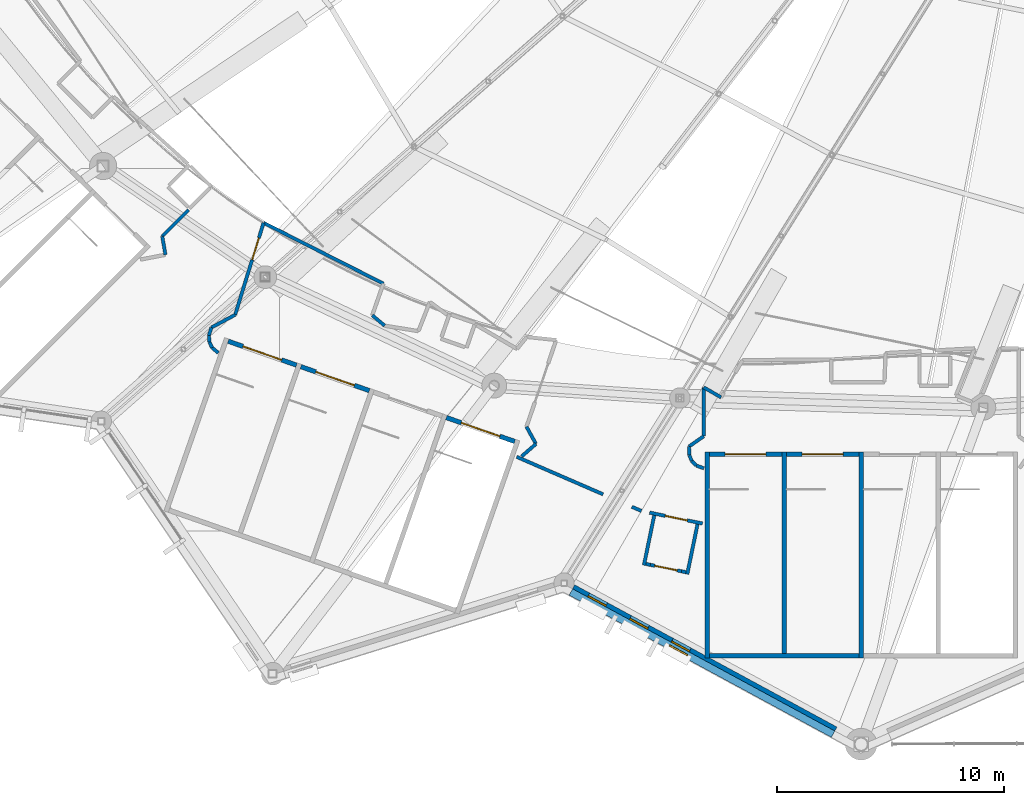
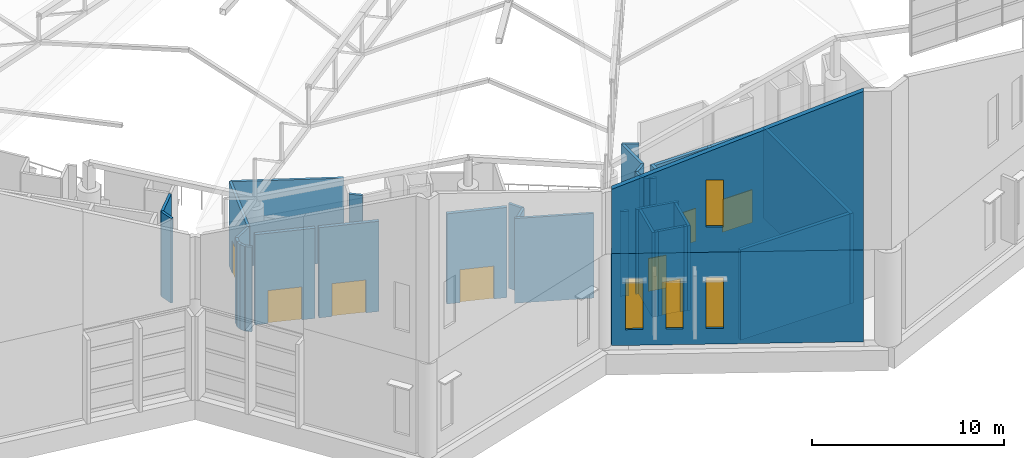
# One storey, part 243 of 344: 38 walls, 8 doors, 4 windows, 12 openings.
"""IFC4 building model written with IfcOpenShell, lengths in metres."""

from ifc_helpers import new_model, si_unit, direction, frame, frame_2d, origin, place, context, subcontext, project, spatial, polyline, rectangle, outline, extrude, material, layer, layer_set, type_object, element, fill, save


model = new_model("IFC4")

# Units and contexts
model_context = context("Model", 3, precision=1e-05, world=origin(), true_north=direction((0.0, 1.0)))
body_context = subcontext(model_context, "Body", "Model", "MODEL_VIEW")
ifc_project = project(units=[si_unit("LENGTHUNIT", "METRE"), si_unit("AREAUNIT", "SQUARE_METRE"), si_unit("VOLUMEUNIT", "CUBIC_METRE"), si_unit("PLANEANGLEUNIT", "RADIAN"), si_unit("MASSUNIT", "GRAM", prefix="KILO")], contexts=[model_context])

# Site, building, storey
site_placement = place(None, origin())
site = spatial("IfcSite", under=ifc_project, at=site_placement, CompositionType="ELEMENT")
building_placement = place(site_placement, origin())
building = spatial("IfcBuilding", under=site, at=building_placement, Name="Meseta Stadium", CompositionType="ELEMENT")
storey_placement = place(building_placement, frame((0.0, 0.0, 24.0)))
storey = spatial("IfcBuildingStorey", under=building, at=storey_placement, Name="L04", CompositionType="ELEMENT", Elevation=24.0)

# Wall
ifc_material_1 = material(Name="Concrete C40/50", Category="concrete")
ifc_layer_1 = layer(ifc_material_1, 0.199951171875)
ifc_layer_set_1 = layer_set([ifc_layer_1], Name="Core divider wall 200")
wall_type_1 = type_object("IfcWallType", Name="Core divider wall 200", PredefinedType="SHEAR", material=ifc_layer_set_1)
wall_1_placement = place(storey_placement, frame((-41.7333984375, -101.60009765625, 0.0), z_axis=(0.0, 0.0, 1.0), x_axis=(0.0, 1.0, 0.0)))
element("IfcWall", 1, at=wall_1_placement, inside=storey, type_object=wall_type_1, Name="Core 23 L04 stair A divider wall", PredefinedType="SHEAR", context=body_context, shape_type="SweptSolid", body=[
    extrude(rectangle(XDim=9.10009765625, YDim=0.199951171875, at=frame_2d((4.550048828125, 0.0))), origin(), (0.0, 0.0, 1.0), 5.75),
])

# Wall, opening, door
ifc_material_2 = material(Name="Concrete C40/50", Category="concrete")
ifc_layer_2 = layer(ifc_material_2, 0.199951171875)
ifc_layer_set_2 = layer_set([ifc_layer_2], Name="Core shaft wall 200")
wall_type_2 = type_object("IfcWallType", Name="Core shaft wall 200", PredefinedType="SHEAR", material=ifc_layer_set_2)
wall_2_placement = place(storey_placement, frame((-66.26171875, -87.618896484375, 0.0), z_axis=(0.0, 0.0, 1.0), x_axis=(0.943878576031, -0.330292648585, 0.0)))
wall_2 = element("IfcWall", 2, at=wall_2_placement, inside=storey, type_object=wall_type_2, Name="Core 22 L04 stair A1 inner end wall", PredefinedType="SHEAR", context=body_context, shape_type="SweptSolid", body=[
    extrude(rectangle(XDim=3.199951171875, YDim=0.199951171875, at=frame_2d((1.60009765625, 0.0))), origin(), (0.0, 0.0, 1.0), 5.75),
])
opening_1_placement = place(wall_2_placement, frame((0.699951171875, 0.0, 0.0)))
opening_1 = element("IfcOpeningElement", 3, at=opening_1_placement, cuts=wall_2, Name="Opening D1555", PredefinedType="OPENING", context=body_context, shape_type="SweptSolid", body=[
    extrude(rectangle(XDim=1.800048828125, YDim=2.10009765625, at=frame_2d((0.89990234375, 1.050048828125))), frame((0.0, 0.10986328125, 0.0), z_axis=(0.0, -1.0, 0.0), x_axis=(1.0, 0.0, 0.0)), (0.0, 0.0, 1.0), 0.219970703125),
])
ifc_material_3 = material(Name="Steel", Category="steel")
door_type_1 = type_object("IfcDoorType", Name="Stair door 1800x2100", OperationType="DOUBLE_DOOR_SINGLE_SWING", PredefinedType="DOOR", material=ifc_material_3)
door_1_placement = place(opening_1_placement, origin())
door_1 = element("IfcDoor", 4, at=door_1_placement, inside=storey, type_object=door_type_1, Name="Stair A1 door 22 L04", OperationType="DOUBLE_DOOR_SINGLE_SWING", OverallHeight=2.10009765625, OverallWidth=1.800048828125, PredefinedType="DOOR", context=body_context, shape_type="SweptSolid", body=[
    extrude(rectangle(XDim=1.800048828125, YDim=2.10009765625, at=frame_2d((0.89990234375, 1.050048828125))), frame((0.0, 0.02490234375, 0.0), z_axis=(0.0, -1.0, 0.0), x_axis=(1.0, 0.0, 0.0)), (0.0, 0.0, 1.0), 0.050048828125),
])
fill(opening_1, door_1)

wall_3_placement = place(storey_placement, frame((-63.052490234375, -88.741943359375, 0.0), z_axis=(0.0, 0.0, 1.0), x_axis=(0.943878576031, -0.330292648585, 0.0)))
wall_3 = element("IfcWall", 5, at=wall_3_placement, inside=storey, type_object=wall_type_2, Name="Core 22 L04 stair A2 inner end wall", PredefinedType="SHEAR", context=body_context, shape_type="SweptSolid", body=[
    extrude(rectangle(XDim=3.199951171875, YDim=0.199951171875, at=frame_2d((1.60009765625, 0.0))), origin(), (0.0, 0.0, 1.0), 5.75),
])
opening_2_placement = place(wall_3_placement, frame((0.699951171875, 0.0, 0.0)))
opening_2 = element("IfcOpeningElement", 6, at=opening_2_placement, cuts=wall_3, Name="Opening D1558", PredefinedType="OPENING", context=body_context, shape_type="SweptSolid", body=[
    extrude(rectangle(XDim=1.800048828125, YDim=2.10009765625, at=frame_2d((0.89990234375, 1.050048828125))), frame((0.0, 0.10986328125, 0.0), z_axis=(0.0, -1.0, 0.0), x_axis=(1.0, 0.0, 0.0)), (0.0, 0.0, 1.0), 0.219970703125),
])
door_2_placement = place(opening_2_placement, origin())
door_2 = element("IfcDoor", 7, at=door_2_placement, inside=storey, type_object=door_type_1, Name="Stair A2 door 22 L04", OperationType="DOUBLE_DOOR_SINGLE_SWING", OverallHeight=2.10009765625, OverallWidth=1.800048828125, PredefinedType="DOOR", context=body_context, shape_type="SweptSolid", body=[
    extrude(rectangle(XDim=1.800048828125, YDim=2.10009765625, at=frame_2d((0.89990234375, 1.050048828125))), frame((0.0, 0.02490234375, 0.0), z_axis=(0.0, -1.0, 0.0), x_axis=(1.0, 0.0, 0.0)), (0.0, 0.0, 1.0), 0.050048828125),
])
fill(opening_2, door_2)

wall_4_placement = place(storey_placement, frame((-56.63427734375, -90.98779296875, 0.0), z_axis=(0.0, 0.0, 1.0), x_axis=(0.943886898693, -0.330268863922, 0.0)))
wall_4 = element("IfcWall", 8, at=wall_4_placement, inside=storey, type_object=wall_type_2, Name="Core 22 L04 stair B2 inner end wall", PredefinedType="SHEAR", context=body_context, shape_type="SweptSolid", body=[
    extrude(rectangle(XDim=3.2001953125, YDim=0.199951171875, at=frame_2d((1.60009765625, 0.0))), origin(), (0.0, 0.0, 1.0), 5.75),
])
opening_3_placement = place(wall_4_placement, frame((0.699951171875, 0.0, 0.0)))
opening_3 = element("IfcOpeningElement", 9, at=opening_3_placement, cuts=wall_4, Name="Opening D1564", PredefinedType="OPENING", context=body_context, shape_type="SweptSolid", body=[
    extrude(rectangle(XDim=1.800048828125, YDim=2.10009765625, at=frame_2d((0.89990234375, 1.050048828125))), frame((0.0, 0.10986328125, 0.0), z_axis=(0.0, -1.0, 0.0), x_axis=(1.0, 0.0, 0.0)), (0.0, 0.0, 1.0), 0.219970703125),
])
door_3_placement = place(opening_3_placement, origin())
door_3 = element("IfcDoor", 10, at=door_3_placement, inside=storey, type_object=door_type_1, Name="Stair B2 door 22 L04", OperationType="DOUBLE_DOOR_SINGLE_SWING", OverallHeight=2.10009765625, OverallWidth=1.800048828125, PredefinedType="DOOR", context=body_context, shape_type="SweptSolid", body=[
    extrude(rectangle(XDim=1.800048828125, YDim=2.10009765625, at=frame_2d((0.89990234375, 1.050048828125))), frame((0.0, 0.02490234375, 0.0), z_axis=(0.0, -1.0, 0.0), x_axis=(1.0, 0.0, 0.0)), (0.0, 0.0, 1.0), 0.050048828125),
])
fill(opening_3, door_3)

# Walls
for number, where, z_axis, x_axis, name in (
    (11, (-45.13330078125, -101.60009765625, 0.0), (0.0, 0.0, 1.0), (0.0, 1.0, 0.0), "Core 23 L04 stair wall A-side"),
    (12, (-38.333251953125, -101.60009765625, 0.0), (0.0, 0.0, 1.0), (0.0, 1.0, 0.0), "Core 23 L04 stair wall shared"),
):
    element("IfcWall", number, at=place(storey_placement, frame(where, z_axis=z_axis, x_axis=x_axis)), inside=storey, type_object=wall_type_2, Name=name, PredefinedType="SHEAR", context=body_context, shape_type="SweptSolid", body=[
        extrude(rectangle(XDim=9.10009765625, YDim=0.199951171875, at=frame_2d((4.550048828125, 0.0))), origin(), (0.0, 0.0, 1.0), 5.75),
    ])
wall_5_placement = place(storey_placement, frame((-45.033203125, -101.5, 0.0), z_axis=(0.0, 0.0, 1.0), x_axis=(1.0, 0.0, 0.0)))
element("IfcWall", 13, at=wall_5_placement, inside=storey, type_object=wall_type_2, Name="Core 23 L04 stair A outer end wall", PredefinedType="SHEAR", context=body_context, shape_type="SweptSolid", body=[
    extrude(rectangle(XDim=6.599853515625, YDim=0.199951171875, at=frame_2d((3.2998046875, 0.0))), origin(), (0.0, 0.0, 1.0), 5.75),
])

# Wall, opening, door
wall_6_placement = place(storey_placement, frame((-45.033203125, -92.60009765625, 0.0), z_axis=(0.0, 0.0, 1.0), x_axis=(1.0, 0.0, 0.0)))
wall_6 = element("IfcWall", 14, at=wall_6_placement, inside=storey, type_object=wall_type_2, Name="Core 23 L04 stair A1 inner end wall", PredefinedType="SHEAR", context=body_context, shape_type="SweptSolid", body=[
    extrude(rectangle(XDim=3.199951171875, YDim=0.199951171875, at=frame_2d((1.60009765625, 0.0))), origin(), (0.0, 0.0, 1.0), 5.75),
])
opening_4_placement = place(wall_6_placement, frame((0.699951171875, 0.0, 0.0)))
opening_4 = element("IfcOpeningElement", 15, at=opening_4_placement, cuts=wall_6, Name="Opening D1572", PredefinedType="OPENING", context=body_context, shape_type="SweptSolid", body=[
    extrude(rectangle(XDim=1.800048828125, YDim=2.10009765625, at=frame_2d((0.89990234375, 1.050048828125))), frame((0.0, 0.10986328125, 0.0), z_axis=(0.0, -1.0, 0.0), x_axis=(1.0, 0.0, 0.0)), (0.0, 0.0, 1.0), 0.219970703125),
])
door_4_placement = place(opening_4_placement, origin())
door_4 = element("IfcDoor", 16, at=door_4_placement, inside=storey, type_object=door_type_1, Name="Stair A1 door 23 L04", OperationType="DOUBLE_DOOR_SINGLE_SWING", OverallHeight=2.10009765625, OverallWidth=1.800048828125, PredefinedType="DOOR", context=body_context, shape_type="SweptSolid", body=[
    extrude(rectangle(XDim=1.800048828125, YDim=2.10009765625, at=frame_2d((0.89990234375, 1.050048828125))), frame((0.0, 0.02490234375, 0.0), z_axis=(0.0, -1.0, 0.0), x_axis=(1.0, 0.0, 0.0)), (0.0, 0.0, 1.0), 0.050048828125),
])
fill(opening_4, door_4)

wall_7_placement = place(storey_placement, frame((-41.63330078125, -92.60009765625, 0.0), z_axis=(0.0, 0.0, 1.0), x_axis=(1.0, 0.0, 0.0)))
wall_7 = element("IfcWall", 17, at=wall_7_placement, inside=storey, type_object=wall_type_2, Name="Core 23 L04 stair A2 inner end wall", PredefinedType="SHEAR", context=body_context, shape_type="SweptSolid", body=[
    extrude(rectangle(XDim=3.199951171875, YDim=0.199951171875, at=frame_2d((1.60009765625, 0.0))), origin(), (0.0, 0.0, 1.0), 5.75),
])
opening_5_placement = place(wall_7_placement, frame((0.699951171875, 0.0, 0.0)))
opening_5 = element("IfcOpeningElement", 18, at=opening_5_placement, cuts=wall_7, Name="Opening D1573", PredefinedType="OPENING", context=body_context, shape_type="SweptSolid", body=[
    extrude(rectangle(XDim=1.800048828125, YDim=2.10009765625, at=frame_2d((0.89990234375, 1.050048828125))), frame((0.0, 0.10986328125, 0.0), z_axis=(0.0, -1.0, 0.0), x_axis=(1.0, 0.0, 0.0)), (0.0, 0.0, 1.0), 0.219970703125),
])
door_5_placement = place(opening_5_placement, origin())
door_5 = element("IfcDoor", 19, at=door_5_placement, inside=storey, type_object=door_type_1, Name="Stair A2 door 23 L04", OperationType="DOUBLE_DOOR_SINGLE_SWING", OverallHeight=2.10009765625, OverallWidth=1.800048828125, PredefinedType="DOOR", context=body_context, shape_type="SweptSolid", body=[
    extrude(rectangle(XDim=1.800048828125, YDim=2.10009765625, at=frame_2d((0.89990234375, 1.050048828125))), frame((0.0, 0.02490234375, 0.0), z_axis=(0.0, -1.0, 0.0), x_axis=(1.0, 0.0, 0.0)), (0.0, 0.0, 1.0), 0.050048828125),
])
fill(opening_5, door_5)

# Walls
ifc_material_4 = material(Name="Masonry blockwork", Category="masonry")
ifc_layer_3 = layer(ifc_material_4, 0.14990234375)
ifc_layer_set_3 = layer_set([ifc_layer_3], Name="Partition 150")
wall_type_3 = type_object("IfcWallType", Name="Partition 150", PredefinedType="PARTITIONING", material=ifc_layer_set_3)
wall_8_placement = place(storey_placement, frame((-53.532470703125, -92.720703125, 0.0), z_axis=(0.0, 0.0, 1.0), x_axis=(0.917474134534, -0.397795440473, 0.0)))
element("IfcWall", 20, at=wall_8_placement, inside=storey, type_object=wall_type_3, Name="Partition L04 L04-cell21-1-0", PredefinedType="PARTITIONING", context=body_context, shape_type="SweptSolid", body=[
    extrude(rectangle(XDim=4.154296875, YDim=0.14990234375, at=frame_2d((2.0771484375, 0.0))), origin(), (0.0, 0.0, 1.0), 5.39990234375),
])
wall_9_placement = place(storey_placement, frame((-48.450439453125, -94.924072265625, 0.0), z_axis=(0.0, 0.0, 1.0), x_axis=(0.917246572377, -0.398319878316, 0.0)))
element("IfcWall", 21, at=wall_9_placement, inside=storey, type_object=wall_type_3, Name="Partition L04 L04-cell21-1-0", PredefinedType="PARTITIONING", context=body_context, shape_type="SweptSolid", body=[
    extrude(rectangle(XDim=0.46142578125, YDim=0.14990234375, at=frame_2d((0.230712890625, 0.0))), origin(), (0.0, 0.0, 1.0), 5.39990234375),
])

# Wall, opening, door
wall_10_placement = place(storey_placement, frame((-47.667724609375, -95.181884765625, 0.0), z_axis=(0.0, 0.0, 1.0), x_axis=(0.97944990219, -0.201687602741, 0.0)))
wall_10 = element("IfcWall", 22, at=wall_10_placement, inside=storey, type_object=wall_type_3, Name="Partition L04 L04-cell21-1-0", PredefinedType="PARTITIONING", context=body_context, shape_type="SweptSolid", body=[
    extrude(rectangle(XDim=2.383544921875, YDim=0.14990234375, at=frame_2d((1.19189453125, 0.0))), origin(), (0.0, 0.0, 1.0), 5.39990234375),
])
opening_6_placement = place(wall_10_placement, frame((0.699951171875, 0.0, 0.0)))
opening_6 = element("IfcOpeningElement", 23, at=opening_6_placement, cuts=wall_10, Name="Opening D1569", PredefinedType="OPENING", context=body_context, shape_type="SweptSolid", body=[
    extrude(rectangle(XDim=1.0, YDim=2.10009765625, at=frame_2d((0.5, 1.050048828125))), frame((0.0, 0.0849609375, 0.0), z_axis=(0.0, -1.0, 0.0), x_axis=(1.0, 0.0, 0.0)), (0.0, 0.0, 1.0), 0.169921875),
])
ifc_material_5 = material(Name="Steel", Category="steel")
door_type_2 = type_object("IfcDoorType", Name="Fire door 1000x2100 EI2 60", OperationType="NOTDEFINED", PredefinedType="DOOR", material=ifc_material_5)
door_6_placement = place(opening_6_placement, origin())
door_6 = element("IfcDoor", 24, at=door_6_placement, inside=storey, type_object=door_type_2, Name="Room door L04 L04-cell21-1-0", OperationType="SINGLE_SWING_RIGHT", OverallHeight=2.10009765625, OverallWidth=1.0, PredefinedType="DOOR", context=body_context, shape_type="SweptSolid", body=[
    extrude(rectangle(XDim=1.0, YDim=2.10009765625, at=frame_2d((0.5, 1.050048828125))), frame((0.0, 0.02490234375, 0.0), z_axis=(0.0, -1.0, 0.0), x_axis=(1.0, 0.0, 0.0)), (0.0, 0.0, 1.0), 0.050048828125),
])
fill(opening_6, door_6)

# Walls
wall_11_placement = place(storey_placement, frame((-69.02587890625, -83.806884765625, 0.0), z_axis=(0.0, 0.0, 1.0), x_axis=(-0.171316329805, 0.985216075357, 0.0)))
element("IfcWall", 25, at=wall_11_placement, inside=storey, type_object=wall_type_3, Name="Stair vestibule wall L04 core 21", PredefinedType="PARTITIONING", context=body_context, shape_type="SweptSolid", body=[
    extrude(rectangle(XDim=0.829345703125, YDim=0.14990234375, at=frame_2d((0.41455078125, 0.0))), origin(), (0.0, 0.0, 1.0), 5.39990234375),
])
wall_12_placement = place(storey_placement, frame((-69.16796875, -82.98974609375, 0.0), z_axis=(0.0, 0.0, 1.0), x_axis=(0.707106781187, 0.707106781187, 0.0)))
element("IfcWall", 26, at=wall_12_placement, inside=storey, type_object=wall_type_3, Name="Stair vestibule wall L04 core 21", PredefinedType="PARTITIONING", context=body_context, shape_type="SweptSolid", body=[
    extrude(rectangle(XDim=1.64306640625, YDim=0.14990234375, at=frame_2d((0.821533203125, 0.0))), origin(), (0.0, 0.0, 1.0), 5.39990234375),
])
wall_13_placement = place(storey_placement, frame((-53.3095703125, -92.699462890625, 0.0), z_axis=(0.0, 0.0, 1.0), x_axis=(0.752902756199, 0.658131779895, 0.0)))
element("IfcWall", 27, at=wall_13_placement, inside=storey, type_object=wall_type_3, Name="Stair vestibule wall L04 core 22", PredefinedType="PARTITIONING", context=body_context, shape_type="SweptSolid", body=[
    extrude(rectangle(XDim=0.834716796875, YDim=0.14990234375, at=frame_2d((0.41748046875, 0.0))), origin(), (0.0, 0.0, 1.0), 5.39990234375),
])
wall_14_placement = place(storey_placement, frame((-52.68115234375, -92.150146484375, 0.0), z_axis=(0.0, 0.0, 1.0), x_axis=(-0.482233213819, 0.876042879938, 0.0)))
element("IfcWall", 28, at=wall_14_placement, inside=storey, type_object=wall_type_3, Name="Stair vestibule wall L04 core 22", PredefinedType="PARTITIONING", context=body_context, shape_type="SweptSolid", body=[
    extrude(rectangle(XDim=0.8642578125, YDim=0.14990234375, at=frame_2d((0.43212890625, 0.0))), origin(), (0.0, 0.0, 1.0), 5.39990234375),
])
wall_15_placement = place(storey_placement, frame((-59.355712890625, -86.935546875, 0.0), z_axis=(0.0, 0.0, 1.0), x_axis=(-0.765017559702, 0.644009420232, 0.0)))
element("IfcWall", 29, at=wall_15_placement, inside=storey, type_object=wall_type_3, Name="Stair vestibule wall L04 core 22", PredefinedType="PARTITIONING", context=body_context, shape_type="SweptSolid", body=[
    extrude(rectangle(XDim=0.714111328125, YDim=0.14990234375, at=frame_2d((0.35693359375, 0.0))), origin(), (0.0, 0.0, 1.0), 5.39990234375),
])
wall_16_placement = place(storey_placement, frame((-59.4130859375, -85.077880859375, 0.0), z_axis=(0.0, 0.0, 1.0), x_axis=(-0.891999670452, 0.45203604714, 0.0)))
element("IfcWall", 30, at=wall_16_placement, inside=storey, type_object=wall_type_3, Name="Stair vestibule wall L04 core 22", PredefinedType="PARTITIONING", context=body_context, shape_type="SweptSolid", body=[
    extrude(rectangle(XDim=5.92529296875, YDim=0.14990234375, at=frame_2d((2.962646484375, 0.0))), origin(), (0.0, 0.0, 1.0), 5.39990234375),
])

# Wall, opening, door
wall_17_placement = place(storey_placement, frame((-64.698486328125, -82.3994140625, 0.0), z_axis=(0.0, 0.0, 1.0), x_axis=(-0.295354963717, -0.955387589101, 0.0)))
wall_17 = element("IfcWall", 31, at=wall_17_placement, inside=storey, type_object=wall_type_3, Name="Stair vestibule wall L04 core 22", PredefinedType="PARTITIONING", context=body_context, shape_type="SweptSolid", body=[
    extrude(rectangle(XDim=4.24365234375, YDim=0.14990234375, at=frame_2d((2.121826171875, 0.0))), origin(), (0.0, 0.0, 1.0), 5.39990234375),
])
opening_7_placement = place(wall_17_placement, frame((0.699951171875, 0.0, 0.0)))
opening_7 = element("IfcOpeningElement", 32, at=opening_7_placement, cuts=wall_17, Name="Opening D1554", PredefinedType="OPENING", context=body_context, shape_type="SweptSolid", body=[
    extrude(rectangle(XDim=1.0, YDim=2.10009765625, at=frame_2d((0.5, 1.050048828125))), frame((0.0, 0.0849609375, 0.0), z_axis=(0.0, -1.0, 0.0), x_axis=(1.0, 0.0, 0.0)), (0.0, 0.0, 1.0), 0.169921875),
])
door_7_placement = place(opening_7_placement, origin())
door_7 = element("IfcDoor", 33, at=door_7_placement, inside=storey, type_object=door_type_2, Name="Stair vestibule door L04 core 22", OperationType="SINGLE_SWING_LEFT", OverallHeight=2.10009765625, OverallWidth=1.0, PredefinedType="DOOR", context=body_context, shape_type="SweptSolid", body=[
    extrude(rectangle(XDim=1.0, YDim=2.10009765625, at=frame_2d((0.5, 1.050048828125))), frame((0.0, 0.02490234375, 0.0), z_axis=(0.0, -1.0, 0.0), x_axis=(1.0, 0.0, 0.0)), (0.0, 0.0, 1.0), 0.050048828125),
])
fill(opening_7, door_7)

# Walls
wall_18_placement = place(storey_placement, frame((-65.951904296875, -86.453857421875, 0.0), z_axis=(0.0, 0.0, 1.0), x_axis=(-0.880497411133, -0.47405095611, 0.0)))
element("IfcWall", 34, at=wall_18_placement, inside=storey, type_object=wall_type_3, Name="Stair vestibule wall L04 core 22", PredefinedType="PARTITIONING", context=body_context, shape_type="SweptSolid", body=[
    extrude(rectangle(XDim=1.191650390625, YDim=0.14990234375, at=frame_2d((0.595703125, 0.0))), origin(), (0.0, 0.0, 1.0), 5.39990234375),
])
wall_19_placement = place(storey_placement, frame((-67.001220703125, -87.018798828125, 0.0), z_axis=(0.0, 0.0, 1.0), x_axis=(-0.293100450663, -0.956081652277, 0.0)))
element("IfcWall", 35, at=wall_19_placement, inside=storey, type_object=wall_type_3, Name="Stair vestibule wall L04 core 22", PredefinedType="PARTITIONING", context=body_context, shape_type="SweptSolid", body=[
    extrude(rectangle(XDim=0.36572265625, YDim=0.14990234375, at=frame_2d((0.182861328125, 0.0))), origin(), (0.0, 0.0, 1.0), 5.39990234375),
])
wall_20_placement = place(storey_placement, frame((-67.1083984375, -87.368408203125, 0.0), z_axis=(0.0, 0.0, 1.0), x_axis=(0.056236685659, -0.998417465385, 0.0)))
element("IfcWall", 36, at=wall_20_placement, inside=storey, type_object=wall_type_3, Name="Stair vestibule wall L04 core 22", PredefinedType="PARTITIONING", context=body_context, shape_type="SweptSolid", body=[
    extrude(rectangle(XDim=0.2822265625, YDim=0.14990234375, at=frame_2d((0.14111328125, 0.0))), origin(), (0.0, 0.0, 1.0), 5.39990234375),
])
wall_21_placement = place(storey_placement, frame((-67.092529296875, -87.650146484375, 0.0), z_axis=(0.0, 0.0, 1.0), x_axis=(0.43378984255, -0.901014080079, 0.0)))
element("IfcWall", 37, at=wall_21_placement, inside=storey, type_object=wall_type_3, Name="Stair vestibule wall L04 core 22", PredefinedType="PARTITIONING", context=body_context, shape_type="SweptSolid", body=[
    extrude(rectangle(XDim=0.28466796875, YDim=0.14990234375, at=frame_2d((0.142333984375, 0.0))), origin(), (0.0, 0.0, 1.0), 5.39990234375),
])
wall_22_placement = place(storey_placement, frame((-66.968994140625, -87.90673828125, 0.0), z_axis=(0.0, 0.0, 1.0), x_axis=(0.770463975756, -0.63748353866, 0.0)))
element("IfcWall", 38, at=wall_22_placement, inside=storey, type_object=wall_type_3, Name="Stair vestibule wall L04 core 22", PredefinedType="PARTITIONING", context=body_context, shape_type="SweptSolid", body=[
    extrude(rectangle(XDim=0.356201171875, YDim=0.14990234375, at=frame_2d((0.17822265625, 0.0))), origin(), (0.0, 0.0, 1.0), 5.39990234375),
])
wall_23_placement = place(storey_placement, frame((-45.929931640625, -92.268798828125, 0.0), z_axis=(0.0, 0.0, 1.0), x_axis=(0.039083544188, -0.999235946398, 0.0)))
element("IfcWall", 39, at=wall_23_placement, inside=storey, type_object=wall_type_3, Name="Stair vestibule wall L04 core 23", PredefinedType="PARTITIONING", context=body_context, shape_type="SweptSolid", body=[
    extrude(rectangle(XDim=0.374755859375, YDim=0.14990234375, at=frame_2d((0.1875, 0.0))), origin(), (0.0, 0.0, 1.0), 5.39990234375),
])
wall_24_placement = place(storey_placement, frame((-45.915283203125, -92.643310546875, 0.0), z_axis=(0.0, 0.0, 1.0), x_axis=(0.382275228123, -0.924048510611, 0.0)))
element("IfcWall", 40, at=wall_24_placement, inside=storey, type_object=wall_type_3, Name="Stair vestibule wall L04 core 23", PredefinedType="PARTITIONING", context=body_context, shape_type="SweptSolid", body=[
    extrude(rectangle(XDim=0.28173828125, YDim=0.14990234375, at=frame_2d((0.140869140625, 0.0))), origin(), (0.0, 0.0, 1.0), 5.39990234375),
])
wall_25_placement = place(storey_placement, frame((-45.8076171875, -92.903564453125, 0.0), z_axis=(0.0, 0.0, 1.0), x_axis=(0.707534941396, -0.706678361564, 0.0)))
element("IfcWall", 41, at=wall_25_placement, inside=storey, type_object=wall_type_3, Name="Stair vestibule wall L04 core 23", PredefinedType="PARTITIONING", context=body_context, shape_type="SweptSolid", body=[
    extrude(rectangle(XDim=0.284912109375, YDim=0.14990234375, at=frame_2d((0.142578125, 0.0))), origin(), (0.0, 0.0, 1.0), 5.39990234375),
])
wall_26_placement = place(storey_placement, frame((-45.60595703125, -93.10498046875, 0.0), z_axis=(0.0, 0.0, 1.0), x_axis=(0.937757023355, -0.347292045903, 0.0)))
element("IfcWall", 42, at=wall_26_placement, inside=storey, type_object=wall_type_3, Name="Stair vestibule wall L04 core 23", PredefinedType="PARTITIONING", context=body_context, shape_type="SweptSolid", body=[
    extrude(rectangle(XDim=0.3564453125, YDim=0.14990234375, at=frame_2d((0.17822265625, 0.0))), origin(), (0.0, 0.0, 1.0), 5.39990234375),
])
wall_27_placement = place(storey_placement, frame((-44.514404296875, -90.0966796875, 0.0), z_axis=(0.0, 0.0, 1.0), x_axis=(-0.866448237872, 0.499266913673, 0.0)))
element("IfcWall", 43, at=wall_27_placement, inside=storey, type_object=wall_type_3, Name="Stair vestibule wall L04 core 23", PredefinedType="PARTITIONING", context=body_context, shape_type="SweptSolid", body=[
    extrude(rectangle(XDim=0.881591796875, YDim=0.14990234375, at=frame_2d((0.44091796875, 0.0))), origin(), (0.0, 0.0, 1.0), 5.39990234375),
])
wall_28_placement = place(storey_placement, frame((-45.2783203125, -89.656494140625, 0.0), z_axis=(0.0, 0.0, 1.0), x_axis=(-0.000113378684, -0.999999993573, 0.0)))
element("IfcWall", 44, at=wall_28_placement, inside=storey, type_object=wall_type_3, Name="Stair vestibule wall L04 core 23", PredefinedType="PARTITIONING", context=body_context, shape_type="SweptSolid", body=[
    extrude(rectangle(XDim=2.1533203125, YDim=0.14990234375, at=frame_2d((1.07666015625, 0.0))), origin(), (0.0, 0.0, 1.0), 5.39990234375),
])
wall_29_placement = place(storey_placement, frame((-45.278564453125, -91.809814453125, 0.0), z_axis=(0.0, 0.0, 1.0), x_axis=(-0.817859910228, -0.575417385245, 0.0)))
element("IfcWall", 45, at=wall_29_placement, inside=storey, type_object=wall_type_3, Name="Stair vestibule wall L04 core 23", PredefinedType="PARTITIONING", context=body_context, shape_type="SweptSolid", body=[
    extrude(rectangle(XDim=0.795654296875, YDim=0.14990234375, at=frame_2d((0.39794921875, 0.0))), origin(), (0.0, 0.0, 1.0), 5.39990234375),
])
for number, where, z_axis, x_axis, name in (
    (46, (-47.462646484375, -95.300537109375, 0.0), (0.0, 0.0, 1.0), (-0.201704965263, -0.979446326752, 0.0), "Partition L04 L04-cell21-1-0 vestibule"),
    (47, (-45.552490234375, -95.694091796875, 0.0), (0.0, 0.0, 1.0), (-0.201830497216, -0.979420466599, 0.0), "Partition L04 L04-cell21-1-0 vestibule"),
):
    element("IfcWall", number, at=place(storey_placement, frame(where, z_axis=z_axis, x_axis=x_axis)), inside=storey, type_object=wall_type_3, Name=name, PredefinedType="PARTITIONING", context=body_context, shape_type="SweptSolid", body=[
        extrude(rectangle(XDim=2.25, YDim=0.14990234375, at=frame_2d((1.125, 0.0))), origin(), (0.0, 0.0, 1.0), 5.39990234375),
    ])
wall_30_placement = place(storey_placement, frame((-47.827880859375, -97.446044921875, 0.0), z_axis=(0.0, 0.0, 1.0), x_axis=(0.979534918634, -0.20127429835, 0.0)))
element("IfcWall", 48, at=wall_30_placement, inside=storey, type_object=wall_type_3, Name="Partition L04 L04-cell21-1-0 vestibule", PredefinedType="PARTITIONING", context=body_context, shape_type="SweptSolid", body=[
    extrude(rectangle(XDim=0.2001953125, YDim=0.14990234375, at=frame_2d((0.10009765625, 0.0))), origin(), (0.0, 0.0, 1.0), 5.39990234375),
])

# Wall, opening, door
wall_31_placement = place(storey_placement, frame((-47.6318359375, -97.486328125, 0.0), z_axis=(0.0, 0.0, 1.0), x_axis=(0.97943069398, -0.201780860565, 0.0)))
wall_31 = element("IfcWall", 49, at=wall_31_placement, inside=storey, type_object=wall_type_3, Name="Partition L04 L04-cell21-1-0 vestibule", PredefinedType="PARTITIONING", context=body_context, shape_type="SweptSolid", body=[
    extrude(rectangle(XDim=1.39990234375, YDim=0.14990234375, at=frame_2d((0.699951171875, 0.0))), origin(), (0.0, 0.0, 1.0), 5.39990234375),
])
opening_8_placement = place(wall_31_placement, frame((0.199951171875, 0.0, 0.0)))
opening_8 = element("IfcOpeningElement", 50, at=opening_8_placement, cuts=wall_31, Name="Opening D1568", PredefinedType="OPENING", context=body_context, shape_type="SweptSolid", body=[
    extrude(rectangle(XDim=1.0, YDim=2.10009765625, at=frame_2d((0.5, 1.050048828125))), frame((0.0, 0.0849609375, 0.0), z_axis=(0.0, -1.0, 0.0), x_axis=(1.0, 0.0, 0.0)), (0.0, 0.0, 1.0), 0.169921875),
])
door_8_placement = place(opening_8_placement, origin())
door_8 = element("IfcDoor", 51, at=door_8_placement, inside=storey, type_object=door_type_2, Name="Vestibule door L04 L04-cell21-1-0", OperationType="SINGLE_SWING_RIGHT", OverallHeight=2.10009765625, OverallWidth=1.0, PredefinedType="DOOR", context=body_context, shape_type="SweptSolid", body=[
    extrude(rectangle(XDim=1.0, YDim=2.10009765625, at=frame_2d((0.5, 1.050048828125))), frame((0.0, 0.02490234375, 0.0), z_axis=(0.0, -1.0, 0.0), x_axis=(1.0, 0.0, 0.0)), (0.0, 0.0, 1.0), 0.050048828125),
])
fill(opening_8, door_8)

# Wall
wall_32_placement = place(storey_placement, frame((-46.2607421875, -97.768798828125, 0.0), z_axis=(0.0, 0.0, 1.0), x_axis=(0.979534918634, -0.20127429835, 0.0)))
element("IfcWall", 52, at=wall_32_placement, inside=storey, type_object=wall_type_3, Name="Partition L04 L04-cell21-1-0 vestibule", PredefinedType="PARTITIONING", context=body_context, shape_type="SweptSolid", body=[
    extrude(rectangle(XDim=0.2001953125, YDim=0.14990234375, at=frame_2d((0.10009765625, 0.0))), origin(), (0.0, 0.0, 1.0), 5.39990234375),
])

# Wall, opening, window
ifc_material_6 = material(Name="White precast concrete C40/50", Category="concrete")
ifc_layer_4 = layer(ifc_material_6, 0.320068359375)
ifc_layer_set_4 = layer_set([ifc_layer_4], Name="Pleated fascia panel 320 raked")
wall_type_4 = type_object("IfcWallType", Name="Pleated fascia panel 320 raked", PredefinedType="SOLIDWALL", material=ifc_layer_set_4)
wall_33_placement = place(storey_placement, frame((-39.5712890625, -104.95654296875, 6.0), z_axis=(0.0, 0.0, 1.0), x_axis=(-0.879137513539, 0.476568182204, 0.0)))
wall_33 = element("IfcWall", 53, at=wall_33_placement, inside=storey, type_object=wall_type_4, Name="Pleated fascia panel L04 F43", PredefinedType="SOLIDWALL", context=body_context, shape_type="SweptSolid", body=[
    extrude(outline(polyline([(0.0, 0.0), (13.16064453125, 0.0), (13.16064453125, 4.09521484375), (0.0, 10.09716796875), (0.0, 0.0)])), frame((0.0, 0.16015625, 0.0), z_axis=(0.0, -1.0, 0.0), x_axis=(1.0, 0.0, 0.0)), (0.0, 0.0, 1.0), 0.320068359375),
])
opening_9_placement = place(wall_33_placement, frame((7.310546875, 0.0, 1.60009765625)))
opening_9 = element("IfcOpeningElement", 54, at=opening_9_placement, cuts=wall_33, Name="Opening W228", PredefinedType="OPENING", context=body_context, shape_type="SweptSolid", body=[
    extrude(rectangle(XDim=0.89990234375, YDim=3.0, at=frame_2d((0.449951171875, 1.5))), frame((0.0, 0.169921875, 0.0), z_axis=(0.0, -1.0, 0.0), x_axis=(1.0, 0.0, 0.0)), (0.0, 0.0, 1.0), 0.340087890625),
])
ifc_material_7 = material(Name="Aluminium", Category="aluminium")
window_type_1 = type_object("IfcWindowType", Name="Slot window 900x3000", PartitioningType="SINGLE_PANEL", PredefinedType="WINDOW", material=ifc_material_7)
window_1_placement = place(opening_9_placement, origin())
window_1 = element("IfcWindow", 55, at=window_1_placement, inside=storey, type_object=window_type_1, Name="Slot window L04 F43.3", OverallHeight=3.0, OverallWidth=0.89990234375, PartitioningType="SINGLE_PANEL", PredefinedType="WINDOW", context=body_context, shape_type="SweptSolid", body=[
    extrude(rectangle(XDim=0.89990234375, YDim=3.0, at=frame_2d((0.449951171875, 1.5))), frame((0.0, 0.030029296875, 0.0), z_axis=(0.0, -1.0, 0.0), x_axis=(1.0, 0.0, 0.0)), (0.0, 0.0, 1.0), 0.06005859375),
])
fill(opening_9, window_1)

# Wall, openings, windows
ifc_material_8 = material(Name="White precast concrete C40/50", Category="concrete")
ifc_layer_5 = layer(ifc_material_8, 0.320068359375)
ifc_layer_set_5 = layer_set([ifc_layer_5], Name="Pleated panel wall 320")
wall_type_5 = type_object("IfcWallType", Name="Pleated panel wall 320", PredefinedType="SOLIDWALL", material=ifc_layer_set_5)
wall_34_placement = place(storey_placement, frame((-39.475830078125, -104.780517578125, 0.0), z_axis=(0.0, 0.0, 1.0), x_axis=(-0.87914528567, 0.476553844476, 0.0)))
wall_34 = element("IfcWall", 56, at=wall_34_placement, inside=storey, type_object=wall_type_5, Name="Pleated facade panel L04 F43", PredefinedType="SOLIDWALL", context=body_context, shape_type="SweptSolid", body=[
    extrude(rectangle(XDim=13.16064453125, YDim=0.320068359375, at=frame_2d((6.580322265625, 0.0))), origin(), (0.0, 0.0, 1.0), 6.0),
])
opening_10_placement = place(wall_34_placement, frame((11.510498046875, 0.0, 1.0)))
opening_10 = element("IfcOpeningElement", 57, at=opening_10_placement, cuts=wall_34, Name="Opening W226", PredefinedType="OPENING", context=body_context, shape_type="SweptSolid", body=[
    extrude(rectangle(XDim=0.89990234375, YDim=3.25, at=frame_2d((0.449951171875, 1.625))), frame((0.0, 0.169921875, 0.0), z_axis=(0.0, -1.0, 0.0), x_axis=(1.0, 0.0, 0.0)), (0.0, 0.0, 1.0), 0.340087890625),
])
opening_11_placement = place(wall_34_placement, frame((9.410400390625, 0.0, 1.0)))
opening_11 = element("IfcOpeningElement", 58, at=opening_11_placement, cuts=wall_34, Name="Opening W227", PredefinedType="OPENING", context=body_context, shape_type="SweptSolid", body=[
    extrude(rectangle(XDim=0.89990234375, YDim=3.25, at=frame_2d((0.449951171875, 1.625))), frame((0.0, 0.169921875, 0.0), z_axis=(0.0, -1.0, 0.0), x_axis=(1.0, 0.0, 0.0)), (0.0, 0.0, 1.0), 0.340087890625),
])
opening_12_placement = place(wall_34_placement, frame((7.310546875, 0.0, 1.0)))
opening_12 = element("IfcOpeningElement", 59, at=opening_12_placement, cuts=wall_34, Name="Opening W229", PredefinedType="OPENING", context=body_context, shape_type="SweptSolid", body=[
    extrude(rectangle(XDim=0.89990234375, YDim=3.25, at=frame_2d((0.449951171875, 1.625))), frame((0.0, 0.169921875, 0.0), z_axis=(0.0, -1.0, 0.0), x_axis=(1.0, 0.0, 0.0)), (0.0, 0.0, 1.0), 0.340087890625),
])
ifc_material_9 = material(Name="Aluminium", Category="aluminium")
window_type_2 = type_object("IfcWindowType", Name="Slot window 900x3250", PartitioningType="SINGLE_PANEL", PredefinedType="WINDOW", material=ifc_material_9)
window_2_placement = place(opening_10_placement, origin())
window_2 = element("IfcWindow", 60, at=window_2_placement, inside=storey, type_object=window_type_2, Name="Slot window L04 F43.1", OverallHeight=3.25, OverallWidth=0.89990234375, PartitioningType="SINGLE_PANEL", PredefinedType="WINDOW", context=body_context, shape_type="SweptSolid", body=[
    extrude(rectangle(XDim=0.89990234375, YDim=3.25, at=frame_2d((0.449951171875, 1.625))), frame((0.0, 0.030029296875, 0.0), z_axis=(0.0, -1.0, 0.0), x_axis=(1.0, 0.0, 0.0)), (0.0, 0.0, 1.0), 0.06005859375),
])
fill(opening_10, window_2)
window_3_placement = place(opening_11_placement, origin())
window_3 = element("IfcWindow", 61, at=window_3_placement, inside=storey, type_object=window_type_2, Name="Slot window L04 F43.2", OverallHeight=3.25, OverallWidth=0.89990234375, PartitioningType="SINGLE_PANEL", PredefinedType="WINDOW", context=body_context, shape_type="SweptSolid", body=[
    extrude(rectangle(XDim=0.89990234375, YDim=3.25, at=frame_2d((0.449951171875, 1.625))), frame((0.0, 0.030029296875, 0.0), z_axis=(0.0, -1.0, 0.0), x_axis=(1.0, 0.0, 0.0)), (0.0, 0.0, 1.0), 0.06005859375),
])
fill(opening_11, window_3)
window_4_placement = place(opening_12_placement, origin())
window_4 = element("IfcWindow", 62, at=window_4_placement, inside=storey, type_object=window_type_2, Name="Slot window L04 F43.3", OverallHeight=3.25, OverallWidth=0.89990234375, PartitioningType="SINGLE_PANEL", PredefinedType="WINDOW", context=body_context, shape_type="SweptSolid", body=[
    extrude(rectangle(XDim=0.89990234375, YDim=3.25, at=frame_2d((0.449951171875, 1.625))), frame((0.0, 0.030029296875, 0.0), z_axis=(0.0, -1.0, 0.0), x_axis=(1.0, 0.0, 0.0)), (0.0, 0.0, 1.0), 0.06005859375),
])
fill(opening_12, window_4)

save(model, "model.ifc")
